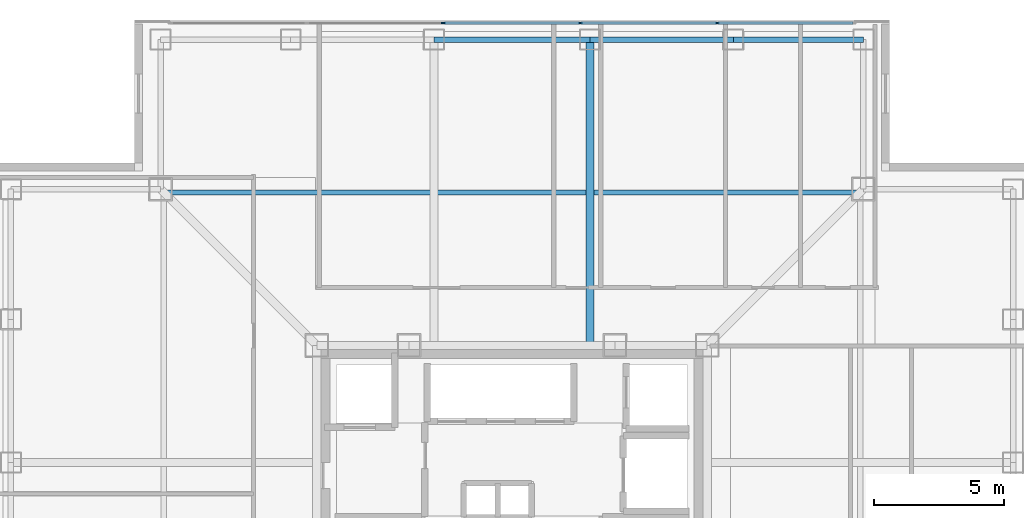
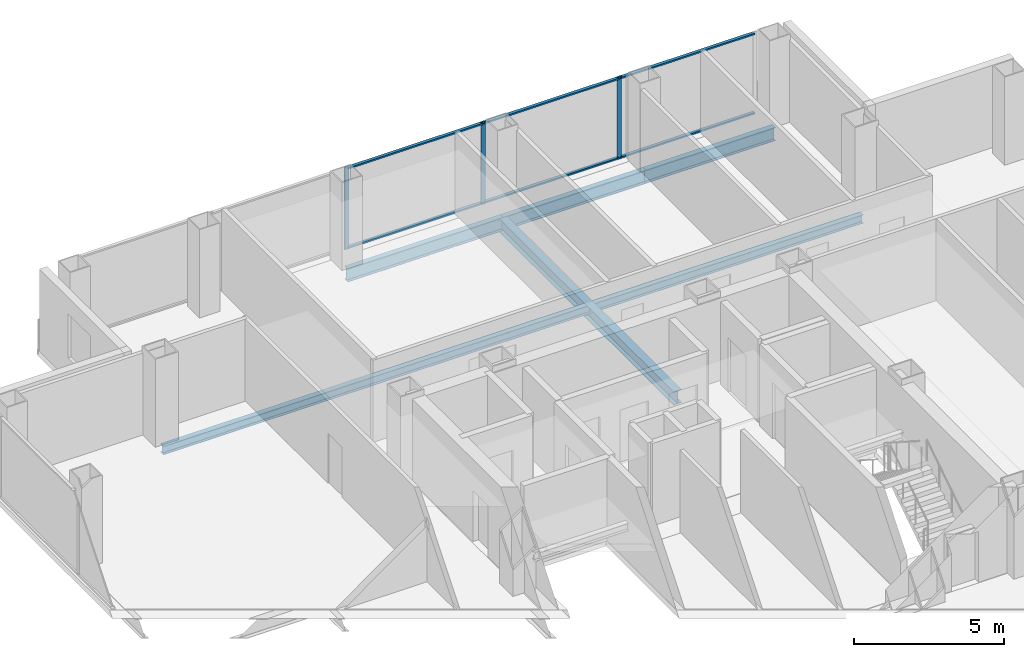
# One storey, part 8 of 18: 9 members, 5 beams, 1 element without a shape of its own.
"""IFC4 building model written with IfcOpenShell, lengths in metres."""

import ifcopenshell
import ifcopenshell.guid

model = None  # the IFC model being written
_history = None  # IfcOwnerHistory: only IFC2X3 demands one
_inside = {}  # id of a spatial element -> (the spatial element, [elements in it])
_under = {}  # id of a project, library or spatial element -> (it, [spatial elements below it])
_declared = {}  # id of a project -> (the project, [libraries it declares])
_typed = {}  # id of a type object -> (the type object, [elements of that type])
_made_of = {}  # id of a material, layer set ... -> (it, [elements and type objects made of it])


def new_model(schema):
    """Start an empty IFC model of exactly this schema.

    Asked for "IFC4X3", IfcOpenShell would pick the latest addendum, in which some entities
    have other attributes; the version numbers below select the first issue.
    IFC2X3 requires an IfcOwnerHistory on every rooted entity: one is made here for all.
    """
    global model, _history
    if schema == "IFC4X3":
        model = ifcopenshell.file(schema_version=(4, 3, 0, 0))
    else:
        model = ifcopenshell.file(schema=schema)
    _inside.clear()
    _under.clear()
    _declared.clear()
    _typed.clear()
    _made_of.clear()
    _history = None
    if model.schema == "IFC2X3":
        org = make("IfcOrganization", Name="unknown")
        user = make(
            "IfcPersonAndOrganization",
            ThePerson=make("IfcPerson", FamilyName="unknown"),
            TheOrganization=org,
        )
        app = make(
            "IfcApplication",
            ApplicationDeveloper=org,
            Version="unknown",
            ApplicationFullName="unknown",
            ApplicationIdentifier="unknown",
        )
        _history = make(
            "IfcOwnerHistory",
            OwningUser=user,
            OwningApplication=app,
            ChangeAction="ADDED",
            CreationDate=0,
        )
    return model


def make(cls, **values):
    """One entity of the class cls with the attributes given. An attribute that is None is left unset."""
    return model.create_entity(
        cls, **{name: value for name, value in values.items() if value is not None}
    )


def rooted(cls, **values):
    """An entity with a GlobalId (a new one), such as an element, a storey or a relation."""
    return make(cls, GlobalId=ifcopenshell.guid.new(), OwnerHistory=_history, **values)


def si_unit(unit_type, name, prefix=None):
    """IfcSIUnit, for example si_unit("LENGTHUNIT", "METRE", prefix="MILLI")."""
    return make("IfcSIUnit", UnitType=unit_type, Prefix=prefix, Name=name)


def assignment(units):
    """IfcUnitAssignment: the units of a project."""
    return None if units is None else make("IfcUnitAssignment", Units=units)


def point(xyz):
    """IfcCartesianPoint."""
    return None if xyz is None else make("IfcCartesianPoint", Coordinates=xyz)


def direction(xyz):
    """IfcDirection."""
    return None if xyz is None else make("IfcDirection", DirectionRatios=xyz)


def frame(location, z_axis=None, x_axis=None):
    """IfcAxis2Placement3D, a coordinate frame: its origin and axes. An axis left out is left unset."""
    return make(
        "IfcAxis2Placement3D",
        Location=point(location),
        Axis=direction(z_axis),
        RefDirection=direction(x_axis),
    )


def frame_2d(location, x_axis=None):
    """IfcAxis2Placement2D, a coordinate frame in the plane: its origin and x axis."""
    return make(
        "IfcAxis2Placement2D", Location=point(location), RefDirection=direction(x_axis)
    )


def origin():
    """The frame at (0, 0, 0) with its axes left unset."""
    return frame((0.0, 0.0, 0.0))


def origin_2d():
    """The frame at (0, 0) in the plane with its x axis left unset."""
    return frame_2d((0.0, 0.0))


def place(relative_to, where):
    """IfcLocalPlacement: puts the frame where relative to a parent placement (None: the world)."""
    return make(
        "IfcLocalPlacement", PlacementRelTo=relative_to, RelativePlacement=where
    )


def context(
    kind, dimensions, precision=None, world=None, true_north=None, identifier=None
):
    """IfcGeometricRepresentationContext, for example the 3D "Model" context."""
    return make(
        "IfcGeometricRepresentationContext",
        ContextIdentifier=identifier,
        ContextType=kind,
        CoordinateSpaceDimension=dimensions,
        Precision=precision,
        WorldCoordinateSystem=world,
        TrueNorth=true_north,
    )


def subcontext(parent, identifier, kind, view, scale=None):
    """IfcGeometricRepresentationSubContext, for example "Body" below "Model"."""
    return make(
        "IfcGeometricRepresentationSubContext",
        ContextIdentifier=identifier,
        ContextType=kind,
        ParentContext=parent,
        TargetScale=scale,
        TargetView=view,
    )


def project(units=None, contexts=None):
    """IfcProject with its units and contexts."""
    return rooted(
        "IfcProject",
        Name="project",
        RepresentationContexts=contexts,
        UnitsInContext=assignment(units),
    )


def spatial(cls, under=None, at=None, **own):
    """A site, building, storey or space (cls), placed at a placement, below another one or the project."""
    s = rooted(cls, ObjectPlacement=at, **own)
    if under is not None:
        _under.setdefault(under.id(), (under, []))[1].append(s)
    return s


def profile(cls, at=None, kind="AREA", **sizes):
    """A parametric profile (cls). Its sizes go by their IFC names, for example OverallWidth=200.0."""
    return make(cls, ProfileType=kind, Position=at, **sizes)


def rectangle(**sizes):
    """IfcRectangleProfileDef."""
    return profile("IfcRectangleProfileDef", **sizes)


def i_section(**sizes):
    """IfcIShapeProfileDef."""
    return profile("IfcIShapeProfileDef", **sizes)


def extrude(swept, where, along, depth):
    """IfcExtrudedAreaSolid: the profile swept, set in the frame where, extruded along a direction by depth."""
    return make(
        "IfcExtrudedAreaSolid",
        SweptArea=swept,
        Position=where,
        ExtrudedDirection=direction(along),
        Depth=depth,
    )


def shape(context_of_items, identifier, shape_type, items):
    """IfcShapeRepresentation: the items that make up one representation, for example the "Body"."""
    return make(
        "IfcShapeRepresentation",
        ContextOfItems=context_of_items,
        RepresentationIdentifier=identifier,
        RepresentationType=shape_type,
        Items=items,
    )


def material(Name=None, Category=None):
    """IfcMaterial."""
    return make("IfcMaterial", Name=Name, Category=Category)


def layer(
    of_material, thickness, ventilated=None, Name=None, Category=None, Priority=None
):
    """IfcMaterialLayer: one layer of a wall or slab, of a material (None: an air gap)."""
    return make(
        "IfcMaterialLayer",
        Material=of_material,
        LayerThickness=thickness,
        IsVentilated=ventilated,
        Name=Name,
        Category=Category,
        Priority=Priority,
    )


def layer_set(layers, Name=None):
    """IfcMaterialLayerSet."""
    return make("IfcMaterialLayerSet", MaterialLayers=layers, LayerSetName=Name)


def material_profile(
    of_material, cross_section, Name=None, Category=None, Priority=None
):
    """IfcMaterialProfile: a cross section and its material."""
    return make(
        "IfcMaterialProfile",
        Name=Name,
        Material=of_material,
        Profile=cross_section,
        Priority=Priority,
        Category=Category,
    )


def profile_set(profiles, Name=None, composite=None):
    """IfcMaterialProfileSet."""
    return make(
        "IfcMaterialProfileSet",
        Name=Name,
        MaterialProfiles=profiles,
        CompositeProfile=composite,
    )


def made_of(thing, what):
    """Note that an element or type object is made of a material, layer set ...; save() writes the relation."""
    if what is not None:
        _made_of.setdefault(what.id(), (what, []))[1].append(thing)
    return thing


def type_object(cls, material=None, **own):
    """A type object (cls), such as IfcWallType, which elements share."""
    return made_of(rooted(cls, **own), material)


def element(
    cls,
    number,
    at=None,
    inside=None,
    cuts=None,
    type_object=None,
    material=None,
    context=None,
    identifier="Body",
    shape_type=None,
    held_by="IfcProductDefinitionShape",
    body=None,
    shapes=None,
    **own,
):
    """One element of the class cls, such as IfcWall. Its Tag is "e" and its number.

    at: its placement. inside: the storey or other place that contains it. cuts: it is an
    opening in that element (IfcRelVoidsElement). A single representation is given by context,
    identifier, shape_type and body (its items); several are given by shapes. held_by: the class
    of the entity that holds the representations. save() writes the other relations.
    """
    e = rooted(cls, Tag="e%d" % number, ObjectPlacement=at, **own)
    if body is not None:
        shapes = [shape(context, identifier, shape_type, body)]
    if shapes is not None:
        e.Representation = make(held_by, Representations=shapes)
    if inside is not None:
        _inside.setdefault(inside.id(), (inside, []))[1].append(e)
    if cuts is not None:
        rooted(
            "IfcRelVoidsElement", RelatingBuildingElement=cuts, RelatedOpeningElement=e
        )
    if type_object is not None:
        _typed.setdefault(type_object.id(), (type_object, []))[1].append(e)
    return made_of(e, material)


def aggregate(whole, parts):
    """IfcRelAggregates: a whole, such as a stair, and the parts it consists of."""
    return rooted("IfcRelAggregates", RelatingObject=whole, RelatedObjects=parts)


def save(model, path):
    """Write the relations noted so far, then the file.

    IfcRelAggregates (storeys below a building ...), IfcRelContainedInSpatialStructure (elements
    in a storey), IfcRelDefinesByType, IfcRelAssociatesMaterial and IfcRelDeclares: one each for
    every whole, place, type object, material and project.
    """
    for whole, parts in _under.values():
        aggregate(whole, parts)
    for where, things in _inside.values():
        rooted(
            "IfcRelContainedInSpatialStructure",
            RelatedElements=things,
            RelatingStructure=where,
        )
    for kind, things in _typed.values():
        rooted("IfcRelDefinesByType", RelatedObjects=things, RelatingType=kind)
    for what, things in _made_of.values():
        rooted("IfcRelAssociatesMaterial", RelatedObjects=things, RelatingMaterial=what)
    for by, libraries in _declared.values():
        rooted("IfcRelDeclares", RelatingContext=by, RelatedDefinitions=libraries)
    model.write(path)


model = new_model("IFC4")

# Units and contexts
model_context = context("Model", 3, precision=1e-05, world=origin(), true_north=direction((0.0, 1.0)))
body_context = subcontext(model_context, "Body", "Model", "MODEL_VIEW")
ifc_project = project(units=[si_unit("LENGTHUNIT", "METRE"), si_unit("AREAUNIT", "SQUARE_METRE"), si_unit("VOLUMEUNIT", "CUBIC_METRE"), si_unit("PLANEANGLEUNIT", "RADIAN"), si_unit("MASSUNIT", "GRAM", prefix="KILO")], contexts=[model_context])

# Site, building, storey
site_placement = place(None, origin())
site = spatial("IfcSite", under=ifc_project, at=site_placement, CompositionType="ELEMENT")
building_placement = place(site_placement, origin())
building = spatial("IfcBuilding", under=site, at=building_placement, Name="Trevonay Congress Spire", CompositionType="ELEMENT")
storey_placement = place(building_placement, frame((0.0, 0.0, 220.199951171875)))
storey = spatial("IfcBuildingStorey", under=building, at=storey_placement, Name="L57", CompositionType="ELEMENT", Elevation=220.199951171875)

# Beams
ifc_material_1 = material(Name="Steel ASTM A572 Grade 50", Category="steel")
ifc_material_profile_1 = material_profile(ifc_material_1, i_section(OverallWidth=0.31201171875, OverallDepth=0.54296875, WebThickness=0.0126953125, FlangeThickness=0.020263671875, FilletRadius=0.014892578125, at=origin_2d()), Name="W530x150")
ifc_profile_set_1 = profile_set([ifc_material_profile_1], Name="Steel ASTM A572 Grade 50")
beam_type_1 = type_object("IfcBeamType", Name="BM-GIRD-W530X150", PredefinedType="BEAM", material=ifc_profile_set_1)
beam_1_placement = place(storey_placement, frame((3.0, 7.5, -0.511474609375), z_axis=(0.0, 1.0, 0.0), x_axis=(-1.0, 0.0, 0.0)))
element("IfcBeam", 1, at=beam_1_placement, inside=storey, type_object=beam_type_1, Name="L57 structural beam BM-L57-GN-P", PredefinedType="BEAM", context=body_context, shape_type="SweptSolid", body=[
    extrude(i_section(OverallWidth=0.31201171875, OverallDepth=0.54296875, WebThickness=0.0126953125, FlangeThickness=0.020263671875, FilletRadius=0.014892578125, at=origin_2d()), origin(), (0.0, 0.0, 1.0), 11.75),
])
ifc_material_profile_2 = material_profile(ifc_material_1, i_section(OverallWidth=0.2119140625, OverallDepth=0.5439453125, WebThickness=0.01318359375, FlangeThickness=0.021240234375, FilletRadius=0.014892578125, at=origin_2d()), Name="W530x123")
ifc_profile_set_2 = profile_set([ifc_material_profile_2], Name="Steel ASTM A572 Grade 50")
beam_type_2 = type_object("IfcBeamType", Name="BM-RING-W530X123", PredefinedType="BEAM", material=ifc_profile_set_2)
beam_2_placement = place(storey_placement, frame((-3.0, 19.25, -0.511962890625), z_axis=(1.0, 0.0, 0.0), x_axis=(0.0, 1.0, 0.0)))
element("IfcBeam", 2, at=beam_2_placement, inside=storey, type_object=beam_type_2, Name="L57 structural beam BM-L57-PN3", PredefinedType="BEAM", context=body_context, shape_type="SweptSolid", body=[
    extrude(i_section(OverallWidth=0.2119140625, OverallDepth=0.5439453125, WebThickness=0.01318359375, FlangeThickness=0.021240234375, FilletRadius=0.014892578125, at=origin_2d()), origin(), (0.0, 0.0, 1.0), 6.0),
])
beam_3_placement = place(storey_placement, frame((3.0, 19.25, -0.511962890625), z_axis=(1.0, 0.0, 0.0), x_axis=(0.0, 1.0, 0.0)))
element("IfcBeam", 3, at=beam_3_placement, inside=storey, type_object=beam_type_2, Name="L57 structural beam BM-L57-PN4", PredefinedType="BEAM", context=body_context, shape_type="SweptSolid", body=[
    extrude(i_section(OverallWidth=0.2119140625, OverallDepth=0.5439453125, WebThickness=0.01318359375, FlangeThickness=0.021240234375, FilletRadius=0.014892578125, at=origin_2d()), origin(), (0.0, 0.0, 1.0), 5.5),
])
beam_4_placement = place(storey_placement, frame((8.5, 19.25, -0.511962890625), z_axis=(1.0, 0.0, 0.0), x_axis=(0.0, 1.0, 0.0)))
element("IfcBeam", 4, at=beam_4_placement, inside=storey, type_object=beam_type_2, Name="L57 structural beam BM-L57-PN5", PredefinedType="BEAM", context=body_context, shape_type="SweptSolid", body=[
    extrude(i_section(OverallWidth=0.2119140625, OverallDepth=0.5439453125, WebThickness=0.01318359375, FlangeThickness=0.021240234375, FilletRadius=0.014892578125, at=origin_2d()), origin(), (0.0, 0.0, 1.0), 5.0),
])

# Curtain wall, members
ifc_material_2 = material(Name="Pale Anodised Aluminium EN AW-6063-T6", Category="aluminium")
ifc_layer = layer(ifc_material_2, 0.169921875, Name="Pale Anodised Aluminium EN AW-6063-T6")
ifc_layer_set = layer_set([ifc_layer], Name="Pale Anodised Aluminium EN AW-6063-T6")
curtain_wall_type = type_object("IfcCurtainWallType", Name="CW-SYS04-CORP-PALE-METAL", PredefinedType="NOTDEFINED", material=ifc_layer_set)
curtain_wall_placement = place(storey_placement, origin())
curtain_wall = element("IfcCurtainWall", 5, at=curtain_wall_placement, inside=storey, type_object=curtain_wall_type, Name="L57 N unitised curtain wall", PredefinedType="NOTDEFINED")
ifc_material_profile_3 = material_profile(ifc_material_2, rectangle(XDim=0.06005859375, YDim=0.159912109375, at=origin_2d()), Name="CW-MULLION-160-ALUMINIUM")
ifc_profile_set_3 = profile_set([ifc_material_profile_3], Name="Pale Anodised Aluminium EN AW-6063-T6")
member_type_1 = type_object("IfcMemberType", Name="CW-MULLION-160-ALUMINIUM", PredefinedType="MULLION", material=ifc_profile_set_3)
member_1_placement = place(storey_placement, frame((-2.6298828125, 19.8798828125, 0.0), z_axis=(0.0, 0.0, 1.0), x_axis=(0.0, 1.0, 0.0)))
member_1 = element("IfcMember", 6, at=member_1_placement, type_object=member_type_1, Name="CW04 mullion 3", PredefinedType="MULLION", context=body_context, shape_type="SweptSolid", body=[
    extrude(rectangle(XDim=0.06005859375, YDim=0.159912109375, at=origin_2d()), origin(), (0.0, 0.0, 1.0), 3.360107421875),
])
member_2_placement = place(storey_placement, frame((2.6298828125, 19.8798828125, 0.0), z_axis=(0.0, 0.0, 1.0), x_axis=(0.0, 1.0, 0.0)))
member_2 = element("IfcMember", 7, at=member_2_placement, type_object=member_type_1, Name="CW04 mullion 4", PredefinedType="MULLION", context=body_context, shape_type="SweptSolid", body=[
    extrude(rectangle(XDim=0.06005859375, YDim=0.159912109375, at=origin_2d()), origin(), (0.0, 0.0, 1.0), 3.360107421875),
])
member_3_placement = place(storey_placement, frame((7.889892578125, 19.8798828125, 0.0), z_axis=(0.0, 0.0, 1.0), x_axis=(0.0, 1.0, 0.0)))
member_3 = element("IfcMember", 8, at=member_3_placement, type_object=member_type_1, Name="CW04 mullion 5", PredefinedType="MULLION", context=body_context, shape_type="SweptSolid", body=[
    extrude(rectangle(XDim=0.06005859375, YDim=0.159912109375, at=origin_2d()), origin(), (0.0, 0.0, 1.0), 3.360107421875),
])
ifc_material_profile_4 = material_profile(ifc_material_2, rectangle(XDim=0.1201171875, YDim=0.06005859375, at=origin_2d()), Name="CW-TRANSOM-120-ALUMINIUM")
ifc_profile_set_4 = profile_set([ifc_material_profile_4], Name="Pale Anodised Aluminium EN AW-6063-T6")
member_type_2 = type_object("IfcMemberType", Name="CW-TRANSOM-120-ALUMINIUM", PredefinedType="USERDEFINED", material=ifc_profile_set_4)
member_4_placement = place(storey_placement, frame((-2.60009765625, 19.8798828125, 0.06005859375), z_axis=(1.0, 0.0, 0.0), x_axis=(0.0, 1.0, 0.0)))
member_4 = element("IfcMember", 9, at=member_4_placement, type_object=member_type_2, Name="CW04 transom 3.1", ObjectType="TRANSOM", PredefinedType="USERDEFINED", context=body_context, shape_type="SweptSolid", body=[
    extrude(rectangle(XDim=0.1201171875, YDim=0.06005859375, at=origin_2d()), origin(), (0.0, 0.0, 1.0), 5.2001953125),
])
member_5_placement = place(storey_placement, frame((-2.60009765625, 19.8798828125, 3.300048828125), z_axis=(1.0, 0.0, 0.0), x_axis=(0.0, 1.0, 0.0)))
member_5 = element("IfcMember", 10, at=member_5_placement, type_object=member_type_2, Name="CW04 transom 3.2", ObjectType="TRANSOM", PredefinedType="USERDEFINED", context=body_context, shape_type="SweptSolid", body=[
    extrude(rectangle(XDim=0.1201171875, YDim=0.06005859375, at=origin_2d()), origin(), (0.0, 0.0, 1.0), 5.2001953125),
])
member_6_placement = place(storey_placement, frame((2.659912109375, 19.8798828125, 0.06005859375), z_axis=(1.0, 0.0, 0.0), x_axis=(0.0, 1.0, 0.0)))
member_6 = element("IfcMember", 11, at=member_6_placement, type_object=member_type_2, Name="CW04 transom 4.1", ObjectType="TRANSOM", PredefinedType="USERDEFINED", context=body_context, shape_type="SweptSolid", body=[
    extrude(rectangle(XDim=0.1201171875, YDim=0.06005859375, at=origin_2d()), origin(), (0.0, 0.0, 1.0), 5.2001953125),
])
member_7_placement = place(storey_placement, frame((2.659912109375, 19.8798828125, 3.300048828125), z_axis=(1.0, 0.0, 0.0), x_axis=(0.0, 1.0, 0.0)))
member_7 = element("IfcMember", 12, at=member_7_placement, type_object=member_type_2, Name="CW04 transom 4.2", ObjectType="TRANSOM", PredefinedType="USERDEFINED", context=body_context, shape_type="SweptSolid", body=[
    extrude(rectangle(XDim=0.1201171875, YDim=0.06005859375, at=origin_2d()), origin(), (0.0, 0.0, 1.0), 5.2001953125),
])
member_8_placement = place(storey_placement, frame((7.919921875, 19.8798828125, 0.06005859375), z_axis=(1.0, 0.0, 0.0), x_axis=(0.0, 1.0, 0.0)))
member_8 = element("IfcMember", 13, at=member_8_placement, type_object=member_type_2, Name="CW04 transom 5.1", ObjectType="TRANSOM", PredefinedType="USERDEFINED", context=body_context, shape_type="SweptSolid", body=[
    extrude(rectangle(XDim=0.1201171875, YDim=0.06005859375, at=origin_2d()), origin(), (0.0, 0.0, 1.0), 5.170166015625),
])
member_9_placement = place(storey_placement, frame((7.919921875, 19.8798828125, 3.300048828125), z_axis=(1.0, 0.0, 0.0), x_axis=(0.0, 1.0, 0.0)))
member_9 = element("IfcMember", 14, at=member_9_placement, type_object=member_type_2, Name="CW04 transom 5.2", ObjectType="TRANSOM", PredefinedType="USERDEFINED", context=body_context, shape_type="SweptSolid", body=[
    extrude(rectangle(XDim=0.1201171875, YDim=0.06005859375, at=origin_2d()), origin(), (0.0, 0.0, 1.0), 5.170166015625),
])
aggregate(curtain_wall, [member_1, member_2, member_3, member_4, member_5, member_6, member_7, member_8, member_9])

# Beam
ifc_material_profile_5 = material_profile(ifc_material_1, i_section(OverallWidth=0.205078125, OverallDepth=0.35400390625, WebThickness=0.009521484375, FlangeThickness=0.016845703125, FilletRadius=0.011962890625, at=origin_2d()), Name="W360x79")
ifc_profile_set_5 = profile_set([ifc_material_profile_5], Name="Steel ASTM A572 Grade 50")
beam_type_3 = type_object("IfcBeamType", Name="JS-COMP-W360X79", PredefinedType="JOIST", material=ifc_profile_set_5)
beam_5_placement = place(storey_placement, frame((-13.5, 13.375, -0.4169921875), z_axis=(1.0, 0.0, 0.0), x_axis=(0.0, 1.0, 0.0)))
element("IfcBeam", 15, at=beam_5_placement, inside=storey, type_object=beam_type_3, Name="L57 structural beam JS-L57-RING-N", PredefinedType="JOIST", context=body_context, shape_type="SweptSolid", body=[
    extrude(i_section(OverallWidth=0.205078125, OverallDepth=0.35400390625, WebThickness=0.009521484375, FlangeThickness=0.016845703125, FilletRadius=0.011962890625, at=origin_2d()), origin(), (0.0, 0.0, 1.0), 27.0),
])

save(model, "model.ifc")
